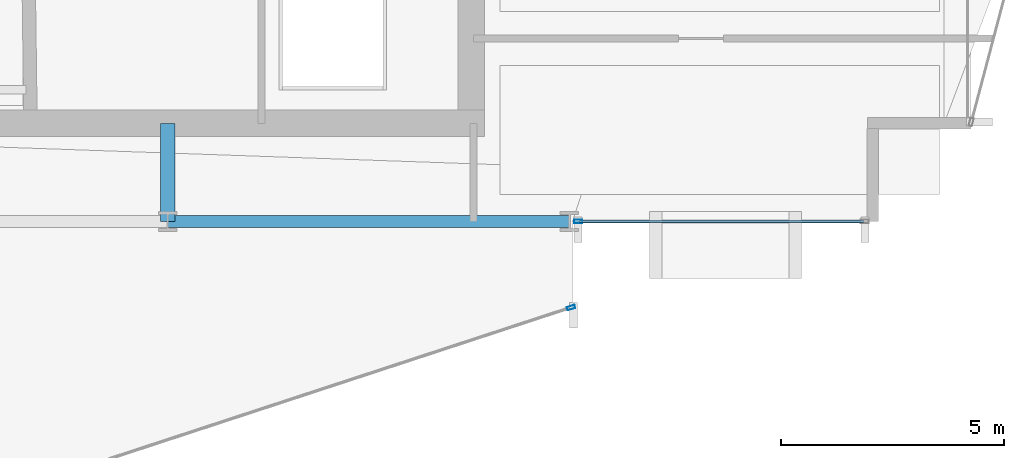
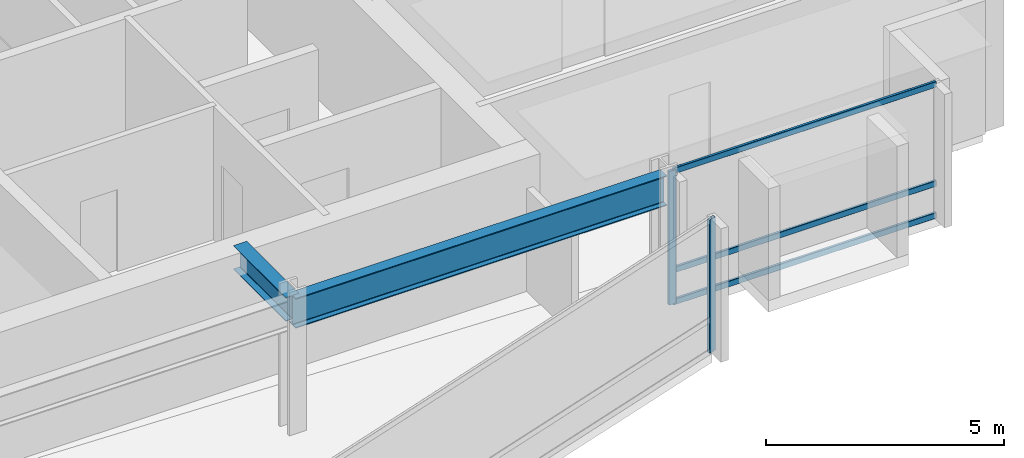
# One storey, part 10 of 29: 5 members, 2 beams, 2 elements without a shape of their own.
"""IFC4 building model written with IfcOpenShell, lengths in metres."""

import ifcopenshell
import ifcopenshell.guid

model = None  # the IFC model being written
_history = None  # IfcOwnerHistory: only IFC2X3 demands one
_inside = {}  # id of a spatial element -> (the spatial element, [elements in it])
_under = {}  # id of a project, library or spatial element -> (it, [spatial elements below it])
_declared = {}  # id of a project -> (the project, [libraries it declares])
_typed = {}  # id of a type object -> (the type object, [elements of that type])
_made_of = {}  # id of a material, layer set ... -> (it, [elements and type objects made of it])


def new_model(schema):
    """Start an empty IFC model of exactly this schema.

    Asked for "IFC4X3", IfcOpenShell would pick the latest addendum, in which some entities
    have other attributes; the version numbers below select the first issue.
    IFC2X3 requires an IfcOwnerHistory on every rooted entity: one is made here for all.
    """
    global model, _history
    if schema == "IFC4X3":
        model = ifcopenshell.file(schema_version=(4, 3, 0, 0))
    else:
        model = ifcopenshell.file(schema=schema)
    _inside.clear()
    _under.clear()
    _declared.clear()
    _typed.clear()
    _made_of.clear()
    _history = None
    if model.schema == "IFC2X3":
        org = make("IfcOrganization", Name="unknown")
        user = make(
            "IfcPersonAndOrganization",
            ThePerson=make("IfcPerson", FamilyName="unknown"),
            TheOrganization=org,
        )
        app = make(
            "IfcApplication",
            ApplicationDeveloper=org,
            Version="unknown",
            ApplicationFullName="unknown",
            ApplicationIdentifier="unknown",
        )
        _history = make(
            "IfcOwnerHistory",
            OwningUser=user,
            OwningApplication=app,
            ChangeAction="ADDED",
            CreationDate=0,
        )
    return model


def make(cls, **values):
    """One entity of the class cls with the attributes given. An attribute that is None is left unset."""
    return model.create_entity(
        cls, **{name: value for name, value in values.items() if value is not None}
    )


def rooted(cls, **values):
    """An entity with a GlobalId (a new one), such as an element, a storey or a relation."""
    return make(cls, GlobalId=ifcopenshell.guid.new(), OwnerHistory=_history, **values)


def si_unit(unit_type, name, prefix=None):
    """IfcSIUnit, for example si_unit("LENGTHUNIT", "METRE", prefix="MILLI")."""
    return make("IfcSIUnit", UnitType=unit_type, Prefix=prefix, Name=name)


def assignment(units):
    """IfcUnitAssignment: the units of a project."""
    return None if units is None else make("IfcUnitAssignment", Units=units)


def point(xyz):
    """IfcCartesianPoint."""
    return None if xyz is None else make("IfcCartesianPoint", Coordinates=xyz)


def direction(xyz):
    """IfcDirection."""
    return None if xyz is None else make("IfcDirection", DirectionRatios=xyz)


def frame(location, z_axis=None, x_axis=None):
    """IfcAxis2Placement3D, a coordinate frame: its origin and axes. An axis left out is left unset."""
    return make(
        "IfcAxis2Placement3D",
        Location=point(location),
        Axis=direction(z_axis),
        RefDirection=direction(x_axis),
    )


def frame_2d(location, x_axis=None):
    """IfcAxis2Placement2D, a coordinate frame in the plane: its origin and x axis."""
    return make(
        "IfcAxis2Placement2D", Location=point(location), RefDirection=direction(x_axis)
    )


def origin():
    """The frame at (0, 0, 0) with its axes left unset."""
    return frame((0.0, 0.0, 0.0))


def origin_2d():
    """The frame at (0, 0) in the plane with its x axis left unset."""
    return frame_2d((0.0, 0.0))


def place(relative_to, where):
    """IfcLocalPlacement: puts the frame where relative to a parent placement (None: the world)."""
    return make(
        "IfcLocalPlacement", PlacementRelTo=relative_to, RelativePlacement=where
    )


def context(
    kind, dimensions, precision=None, world=None, true_north=None, identifier=None
):
    """IfcGeometricRepresentationContext, for example the 3D "Model" context."""
    return make(
        "IfcGeometricRepresentationContext",
        ContextIdentifier=identifier,
        ContextType=kind,
        CoordinateSpaceDimension=dimensions,
        Precision=precision,
        WorldCoordinateSystem=world,
        TrueNorth=true_north,
    )


def subcontext(parent, identifier, kind, view, scale=None):
    """IfcGeometricRepresentationSubContext, for example "Body" below "Model"."""
    return make(
        "IfcGeometricRepresentationSubContext",
        ContextIdentifier=identifier,
        ContextType=kind,
        ParentContext=parent,
        TargetScale=scale,
        TargetView=view,
    )


def project(units=None, contexts=None):
    """IfcProject with its units and contexts."""
    return rooted(
        "IfcProject",
        Name="project",
        RepresentationContexts=contexts,
        UnitsInContext=assignment(units),
    )


def spatial(cls, under=None, at=None, **own):
    """A site, building, storey or space (cls), placed at a placement, below another one or the project."""
    s = rooted(cls, ObjectPlacement=at, **own)
    if under is not None:
        _under.setdefault(under.id(), (under, []))[1].append(s)
    return s


def profile(cls, at=None, kind="AREA", **sizes):
    """A parametric profile (cls). Its sizes go by their IFC names, for example OverallWidth=200.0."""
    return make(cls, ProfileType=kind, Position=at, **sizes)


def hollow_rectangle(**sizes):
    """IfcRectangleHollowProfileDef."""
    return profile("IfcRectangleHollowProfileDef", **sizes)


def i_section(**sizes):
    """IfcIShapeProfileDef."""
    return profile("IfcIShapeProfileDef", **sizes)


def extrude(swept, where, along, depth):
    """IfcExtrudedAreaSolid: the profile swept, set in the frame where, extruded along a direction by depth."""
    return make(
        "IfcExtrudedAreaSolid",
        SweptArea=swept,
        Position=where,
        ExtrudedDirection=direction(along),
        Depth=depth,
    )


def shape(context_of_items, identifier, shape_type, items):
    """IfcShapeRepresentation: the items that make up one representation, for example the "Body"."""
    return make(
        "IfcShapeRepresentation",
        ContextOfItems=context_of_items,
        RepresentationIdentifier=identifier,
        RepresentationType=shape_type,
        Items=items,
    )


def material(Name=None, Category=None):
    """IfcMaterial."""
    return make("IfcMaterial", Name=Name, Category=Category)


def layer(
    of_material, thickness, ventilated=None, Name=None, Category=None, Priority=None
):
    """IfcMaterialLayer: one layer of a wall or slab, of a material (None: an air gap)."""
    return make(
        "IfcMaterialLayer",
        Material=of_material,
        LayerThickness=thickness,
        IsVentilated=ventilated,
        Name=Name,
        Category=Category,
        Priority=Priority,
    )


def layer_set(layers, Name=None):
    """IfcMaterialLayerSet."""
    return make("IfcMaterialLayerSet", MaterialLayers=layers, LayerSetName=Name)


def material_profile(
    of_material, cross_section, Name=None, Category=None, Priority=None
):
    """IfcMaterialProfile: a cross section and its material."""
    return make(
        "IfcMaterialProfile",
        Name=Name,
        Material=of_material,
        Profile=cross_section,
        Priority=Priority,
        Category=Category,
    )


def profile_set(profiles, Name=None, composite=None):
    """IfcMaterialProfileSet."""
    return make(
        "IfcMaterialProfileSet",
        Name=Name,
        MaterialProfiles=profiles,
        CompositeProfile=composite,
    )


def made_of(thing, what):
    """Note that an element or type object is made of a material, layer set ...; save() writes the relation."""
    if what is not None:
        _made_of.setdefault(what.id(), (what, []))[1].append(thing)
    return thing


def type_object(cls, material=None, **own):
    """A type object (cls), such as IfcWallType, which elements share."""
    return made_of(rooted(cls, **own), material)


def element(
    cls,
    number,
    at=None,
    inside=None,
    cuts=None,
    type_object=None,
    material=None,
    context=None,
    identifier="Body",
    shape_type=None,
    held_by="IfcProductDefinitionShape",
    body=None,
    shapes=None,
    **own,
):
    """One element of the class cls, such as IfcWall. Its Tag is "e" and its number.

    at: its placement. inside: the storey or other place that contains it. cuts: it is an
    opening in that element (IfcRelVoidsElement). A single representation is given by context,
    identifier, shape_type and body (its items); several are given by shapes. held_by: the class
    of the entity that holds the representations. save() writes the other relations.
    """
    e = rooted(cls, Tag="e%d" % number, ObjectPlacement=at, **own)
    if body is not None:
        shapes = [shape(context, identifier, shape_type, body)]
    if shapes is not None:
        e.Representation = make(held_by, Representations=shapes)
    if inside is not None:
        _inside.setdefault(inside.id(), (inside, []))[1].append(e)
    if cuts is not None:
        rooted(
            "IfcRelVoidsElement", RelatingBuildingElement=cuts, RelatedOpeningElement=e
        )
    if type_object is not None:
        _typed.setdefault(type_object.id(), (type_object, []))[1].append(e)
    return made_of(e, material)


def aggregate(whole, parts):
    """IfcRelAggregates: a whole, such as a stair, and the parts it consists of."""
    return rooted("IfcRelAggregates", RelatingObject=whole, RelatedObjects=parts)


def save(model, path):
    """Write the relations noted so far, then the file.

    IfcRelAggregates (storeys below a building ...), IfcRelContainedInSpatialStructure (elements
    in a storey), IfcRelDefinesByType, IfcRelAssociatesMaterial and IfcRelDeclares: one each for
    every whole, place, type object, material and project.
    """
    for whole, parts in _under.values():
        aggregate(whole, parts)
    for where, things in _inside.values():
        rooted(
            "IfcRelContainedInSpatialStructure",
            RelatedElements=things,
            RelatingStructure=where,
        )
    for kind, things in _typed.values():
        rooted("IfcRelDefinesByType", RelatedObjects=things, RelatingType=kind)
    for what, things in _made_of.values():
        rooted("IfcRelAssociatesMaterial", RelatedObjects=things, RelatingMaterial=what)
    for by, libraries in _declared.values():
        rooted("IfcRelDeclares", RelatingContext=by, RelatedDefinitions=libraries)
    model.write(path)


model = new_model("IFC4")

# Units and contexts
model_context = context("Model", 3, precision=1e-05, world=origin(), true_north=direction((0.0, 1.0)))
body_context = subcontext(model_context, "Body", "Model", "MODEL_VIEW")
ifc_project = project(units=[si_unit("LENGTHUNIT", "METRE"), si_unit("AREAUNIT", "SQUARE_METRE"), si_unit("VOLUMEUNIT", "CUBIC_METRE"), si_unit("PLANEANGLEUNIT", "RADIAN"), si_unit("MASSUNIT", "GRAM", prefix="KILO")], contexts=[model_context])

# Site, building, storey
site_placement = place(None, origin())
site = spatial("IfcSite", under=ifc_project, at=site_placement, CompositionType="ELEMENT")
building_placement = place(site_placement, origin())
building = spatial("IfcBuilding", under=site, at=building_placement, Name="Solvaryn Broadcast Tower", CompositionType="ELEMENT")
storey_placement = place(building_placement, frame((0.0, 0.0, 121.10009765625)))
storey = spatial("IfcBuildingStorey", under=building, at=storey_placement, Name="L29", CompositionType="ELEMENT", Elevation=121.10009765625)

# Beams
ifc_material_1 = material(Name="Steel ASTM A992 Grade 50", Category="steel")
ifc_material_profile_1 = material_profile(ifc_material_1, i_section(OverallWidth=0.323974609375, OverallDepth=0.611083984375, WebThickness=0.0126953125, FlangeThickness=0.01904296875, FilletRadius=0.014892578125, at=origin_2d()))
ifc_profile_set_1 = profile_set([ifc_material_profile_1], Name="Steel ASTM A992 Grade 50")
beam_type_1 = type_object("IfcBeamType", Name="BM-B1-W24X104", PredefinedType="BEAM", material=ifc_profile_set_1)
beam_1_placement = place(storey_placement, frame((36.0, 9.0, 3.114501953125), z_axis=(0.0, 1.0, 0.0), x_axis=(-1.0, 0.0, 0.0)))
element("IfcBeam", 1, at=beam_1_placement, inside=storey, type_object=beam_type_1, Name="L29 Core Tie Beam CTE1", PredefinedType="BEAM", context=body_context, shape_type="SweptSolid", body=[
    extrude(i_section(OverallWidth=0.323974609375, OverallDepth=0.611083984375, WebThickness=0.0126953125, FlangeThickness=0.01904296875, FilletRadius=0.014892578125, at=origin_2d()), origin(), (0.0, 0.0, 1.0), 2.199951171875),
])
ifc_material_2 = material(Name="Steel ASTM A992 Grade 50", Category="steel")
ifc_material_profile_2 = material_profile(ifc_material_2, i_section(OverallWidth=0.26708984375, OverallDepth=0.76611328125, WebThickness=0.014892578125, FlangeThickness=0.023681640625, FilletRadius=0.01806640625, at=origin_2d()))
ifc_profile_set_2 = profile_set([ifc_material_profile_2], Name="Steel ASTM A992 Grade 50")
beam_type_2 = type_object("IfcBeamType", Name="BM-SP2-W30X124", PredefinedType="USERDEFINED", material=ifc_profile_set_2)
beam_2_placement = place(storey_placement, frame((36.0, 9.0, 3.036865234375), z_axis=(1.0, 0.0, 0.0), x_axis=(0.0, 1.0, 0.0)))
element("IfcBeam", 2, at=beam_2_placement, inside=storey, type_object=beam_type_2, Name="L29 Spandrel Beam X (36-45 @ Y=9)", ObjectType="SPANDREL", PredefinedType="USERDEFINED", context=body_context, shape_type="SweptSolid", body=[
    extrude(i_section(OverallWidth=0.26708984375, OverallDepth=0.76611328125, WebThickness=0.014892578125, FlangeThickness=0.023681640625, FilletRadius=0.01806640625, at=origin_2d()), origin(), (0.0, 0.0, 1.0), 9.0),
])

# Curtain wall, member
ifc_material_3 = material(Name="Aluminium and Terracotta Unitised Curtain Wall", Category="masonry")
ifc_layer = layer(ifc_material_3, 0.199951171875)
ifc_layer_set = layer_set([ifc_layer], Name="CW-SYS2-LOWMID")
curtain_wall_type = type_object("IfcCurtainWallType", Name="CW-SYS2-LOWMID", PredefinedType="NOTDEFINED", material=ifc_layer_set)
curtain_wall_1_placement = place(storey_placement, origin())
curtain_wall_1 = element("IfcCurtainWall", 3, at=curtain_wall_1_placement, inside=storey, type_object=curtain_wall_type, Name="L29 Curtain Wall DR4", PredefinedType="NOTDEFINED")
ifc_material_4 = material(Name="Anodised Aluminium 6063-T6", Category="aluminium")
ifc_material_profile_3 = material_profile(ifc_material_4, hollow_rectangle(XDim=0.074951171875, YDim=0.179931640625, WallThickness=0.00390625, InnerFilletRadius=0.00390625, OuterFilletRadius=0.008056640625, at=origin_2d()))
ifc_profile_set_3 = profile_set([ifc_material_profile_3], Name="Anodised Aluminium 6063-T6")
member_type_1 = type_object("IfcMemberType", Name="CW-MUL-180", PredefinedType="MULLION", material=ifc_profile_set_3)
member_1_placement = place(storey_placement, frame((45.03857421875, 7.069580078125, 0.0), z_axis=(0.0, 0.0, 1.0), x_axis=(-0.311646057547, 0.950198260794, 0.0)))
member_1 = element("IfcMember", 4, at=member_1_placement, type_object=member_type_1, Name="CWS2 mullion 2", PredefinedType="MULLION", context=body_context, shape_type="SweptSolid", body=[
    extrude(hollow_rectangle(XDim=0.074951171875, YDim=0.179931640625, WallThickness=0.00390625, InnerFilletRadius=0.00390625, OuterFilletRadius=0.008056640625, at=origin_2d()), origin(), (0.0, 0.0, 1.0), 3.419921875),
])
aggregate(curtain_wall_1, [member_1])

# Curtain wall, members
curtain_wall_2_placement = place(storey_placement, origin())
curtain_wall_2 = element("IfcCurtainWall", 5, at=curtain_wall_2_placement, inside=storey, type_object=curtain_wall_type, Name="L29 Curtain Wall S2", PredefinedType="NOTDEFINED")
member_2_placement = place(storey_placement, frame((45.197021484375, 9.0, 0.0), z_axis=(0.0, 0.0, 1.0), x_axis=(0.0, 1.0, 0.0)))
member_2 = element("IfcMember", 6, at=member_2_placement, type_object=member_type_1, Name="CWS2 mullion 1", PredefinedType="MULLION", context=body_context, shape_type="SweptSolid", body=[
    extrude(hollow_rectangle(XDim=0.074951171875, YDim=0.179931640625, WallThickness=0.00390625, InnerFilletRadius=0.00390625, OuterFilletRadius=0.008056640625, at=origin_2d()), origin(), (0.0, 0.0, 1.0), 3.419921875),
])
ifc_material_5 = material(Name="Anodised Aluminium 6063-T6", Category="aluminium")
ifc_material_profile_4 = material_profile(ifc_material_5, hollow_rectangle(XDim=0.06494140625, YDim=0.14990234375, WallThickness=0.00390625, InnerFilletRadius=0.00390625, OuterFilletRadius=0.008056640625, at=origin_2d()))
ifc_profile_set_4 = profile_set([ifc_material_profile_4], Name="Anodised Aluminium 6063-T6")
member_type_2 = type_object("IfcMemberType", Name="CW-TRN-150", PredefinedType="USERDEFINED", material=ifc_profile_set_4)
member_3_placement = place(storey_placement, frame((45.22705078125, 9.0, 0.02978515625), z_axis=(1.0, 0.0, 0.0), x_axis=(0.0, 1.0, 0.0)))
member_3 = element("IfcMember", 7, at=member_3_placement, type_object=member_type_2, Name="CWS2 transom 1.1", ObjectType="TRANSOM", PredefinedType="USERDEFINED", context=body_context, shape_type="SweptSolid", body=[
    extrude(hollow_rectangle(XDim=0.06494140625, YDim=0.14990234375, WallThickness=0.00390625, InnerFilletRadius=0.00390625, OuterFilletRadius=0.008056640625, at=origin_2d()), origin(), (0.0, 0.0, 1.0), 6.363037109375),
])
member_4_placement = place(storey_placement, frame((45.22705078125, 9.0, 0.849853515625), z_axis=(1.0, 0.0, 0.0), x_axis=(0.0, 1.0, 0.0)))
member_4 = element("IfcMember", 8, at=member_4_placement, type_object=member_type_2, Name="CWS2 transom 1.2", ObjectType="TRANSOM", PredefinedType="USERDEFINED", context=body_context, shape_type="SweptSolid", body=[
    extrude(hollow_rectangle(XDim=0.06494140625, YDim=0.14990234375, WallThickness=0.00390625, InnerFilletRadius=0.00390625, OuterFilletRadius=0.008056640625, at=origin_2d()), origin(), (0.0, 0.0, 1.0), 6.363037109375),
])
member_5_placement = place(storey_placement, frame((45.22705078125, 9.0, 3.389892578125), z_axis=(1.0, 0.0, 0.0), x_axis=(0.0, 1.0, 0.0)))
member_5 = element("IfcMember", 9, at=member_5_placement, type_object=member_type_2, Name="CWS2 transom 1.3", ObjectType="TRANSOM", PredefinedType="USERDEFINED", context=body_context, shape_type="SweptSolid", body=[
    extrude(hollow_rectangle(XDim=0.06494140625, YDim=0.14990234375, WallThickness=0.00390625, InnerFilletRadius=0.00390625, OuterFilletRadius=0.008056640625, at=origin_2d()), origin(), (0.0, 0.0, 1.0), 6.363037109375),
])
aggregate(curtain_wall_2, [member_2, member_3, member_4, member_5])

save(model, "model.ifc")
